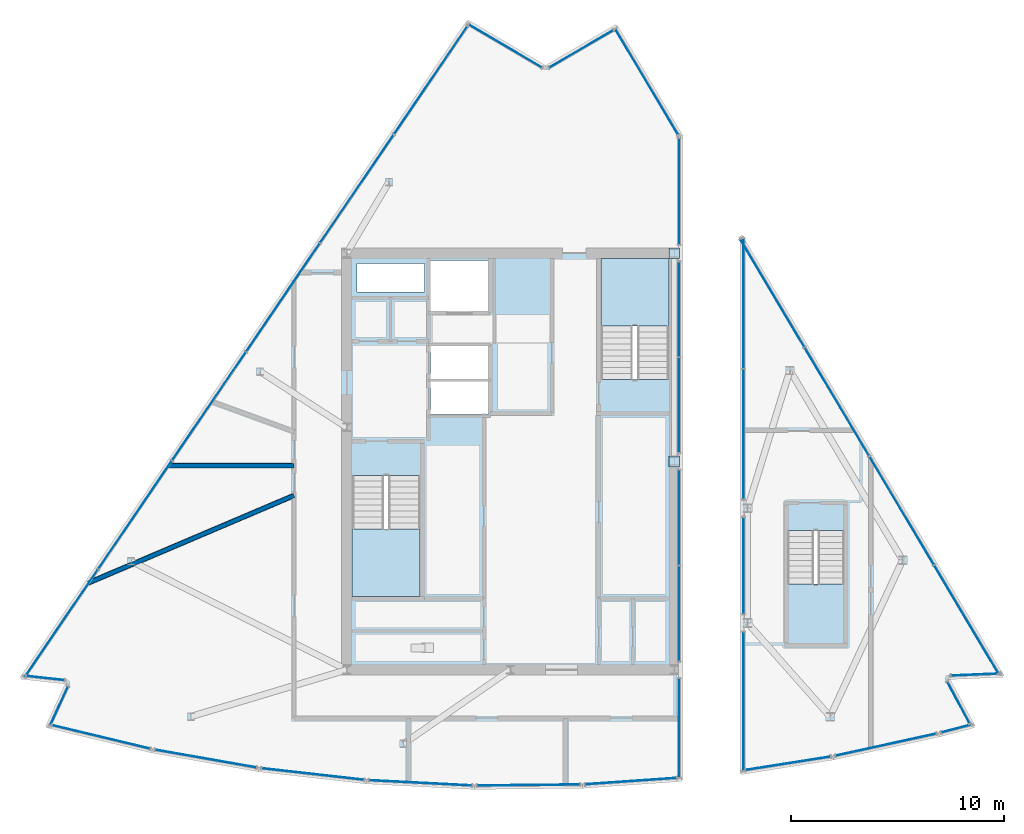
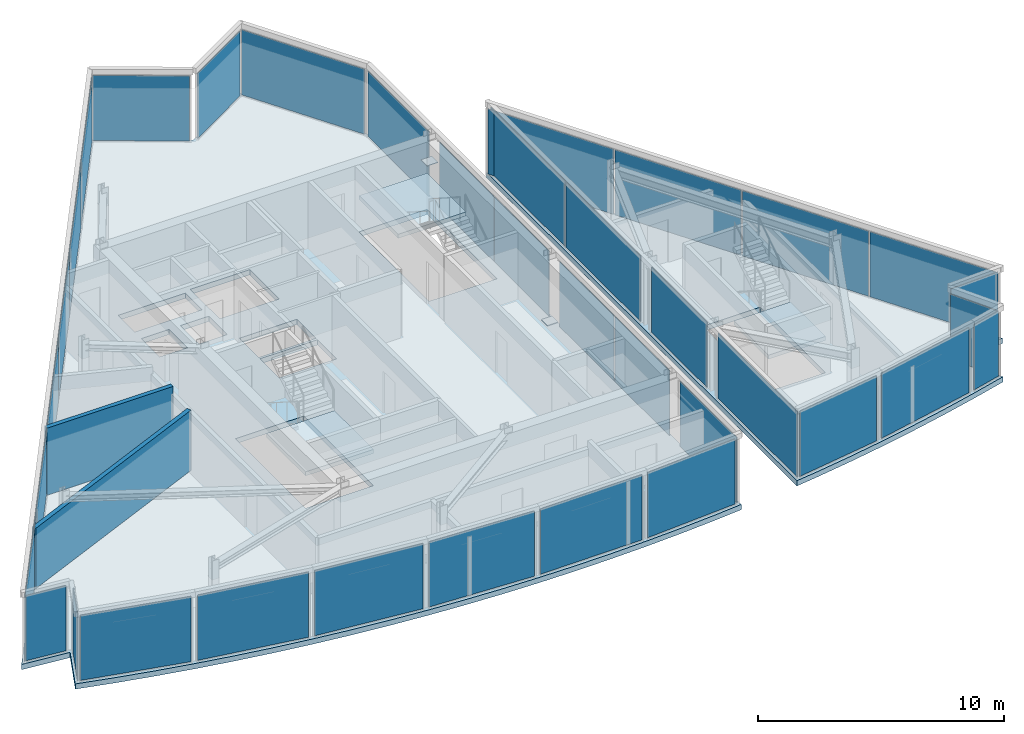
# One storey, part 8 of 15: 38 plates, 5 slabs, 2 walls, 28 elements without a shape of their own.
"""IFC4 building model written with IfcOpenShell, lengths in metres."""

from ifc_helpers import new_model, si_unit, direction, frame, frame_2d, origin, origin_2d, place, context, subcontext, project, spatial, polyline, rectangle, outline, extrude, material, layer, layer_set, type_object, element, aggregate, save


model = new_model("IFC4")

# Units and contexts
model_context = context("Model", 3, precision=1e-05, world=origin(), true_north=direction((0.0, 1.0)))
body_context = subcontext(model_context, "Body", "Model", "MODEL_VIEW")
ifc_project = project(units=[si_unit("LENGTHUNIT", "METRE"), si_unit("AREAUNIT", "SQUARE_METRE"), si_unit("VOLUMEUNIT", "CUBIC_METRE"), si_unit("PLANEANGLEUNIT", "RADIAN"), si_unit("MASSUNIT", "GRAM", prefix="KILO")], contexts=[model_context])

# Site, building, storey
site_placement = place(None, origin())
site = spatial("IfcSite", under=ifc_project, at=site_placement, CompositionType="ELEMENT")
building_placement = place(site_placement, origin())
building = spatial("IfcBuilding", under=site, at=building_placement, Name="Savorim Split Tower", CompositionType="ELEMENT")
storey_placement = place(building_placement, frame((0.0, 0.0, 308.39990234375)))
storey = spatial("IfcBuildingStorey", under=building, at=storey_placement, Name="Crown L82 Plant", CompositionType="ELEMENT", Elevation=308.39990234375)

# Curtain wall, plate
ifc_material_1 = material(Name="Dark Ceramic-Fritted Insulated Glass", Category="glass")
curtain_wall_type = type_object("IfcCurtainWallType", Name="CW-CROWN-CREST", PredefinedType="NOTDEFINED", material=ifc_material_1)
curtain_wall_1_placement = place(storey_placement, origin())
curtain_wall_1 = element("IfcCurtainWall", 1, at=curtain_wall_1_placement, inside=storey, type_object=curtain_wall_type, Name="Crown L82 Plant Curtain Wall CW-Crown-L82-Plant-W1AS1", PredefinedType="NOTDEFINED")
ifc_layer_1 = layer(ifc_material_1, 0.02587890625)
ifc_layer_set_1 = layer_set([ifc_layer_1], Name="CWP-FRITB-26")
plate_type_1 = type_object("IfcPlateType", Name="CWP-FRITB-26", PredefinedType="CURTAIN_PANEL", material=ifc_layer_set_1)
plate_1_placement = place(storey_placement, frame((7.929931640625, -12.13916015625, 0.05029296875), z_axis=(0.0, 0.0, 1.0), x_axis=(0.0, 1.0, 0.0)))
plate_1 = element("IfcPlate", 2, at=plate_1_placement, type_object=plate_type_1, Name="CW-07 panel 1.1", PredefinedType="CURTAIN_PANEL", context=body_context, shape_type="SweptSolid", body=[
    extrude(rectangle(XDim=4.62646484375, YDim=0.02587890625, at=origin_2d()), origin(), (0.0, 0.0, 1.0), 3.239990234375),
])
aggregate(curtain_wall_1, [plate_1])

# Curtain wall, plates
curtain_wall_2_placement = place(storey_placement, origin())
curtain_wall_2 = element("IfcCurtainWall", 3, at=curtain_wall_2_placement, inside=storey, type_object=curtain_wall_type, Name="Crown L82 Plant Curtain Wall CW-Crown-L82-Plant-W1AS2", PredefinedType="NOTDEFINED")
plate_2_placement = place(storey_placement, frame((7.929931640625, -6.751953125, 0.05029296875), z_axis=(0.0, 0.0, 1.0), x_axis=(0.0, 1.0, 0.0)))
plate_2 = element("IfcPlate", 4, at=plate_2_placement, type_object=plate_type_1, Name="CW-07 panel 1.1", PredefinedType="CURTAIN_PANEL", context=body_context, shape_type="SweptSolid", body=[
    extrude(rectangle(XDim=4.444091796875, YDim=0.02587890625, at=origin_2d()), origin(), (0.0, 0.0, 1.0), 3.239990234375),
])
plate_3_placement = place(storey_placement, frame((7.929931640625, -2.248046875, 0.05029296875), z_axis=(0.0, 0.0, 1.0), x_axis=(0.0, 1.0, 0.0)))
plate_3 = element("IfcPlate", 5, at=plate_3_placement, type_object=plate_type_1, Name="CW-07 panel 2.1", PredefinedType="CURTAIN_PANEL", context=body_context, shape_type="SweptSolid", body=[
    extrude(rectangle(XDim=4.444091796875, YDim=0.02587890625, at=origin_2d()), origin(), (0.0, 0.0, 1.0), 3.239990234375),
])
aggregate(curtain_wall_2, [plate_2, plate_3])

curtain_wall_3_placement = place(storey_placement, origin())
curtain_wall_3 = element("IfcCurtainWall", 6, at=curtain_wall_3_placement, inside=storey, type_object=curtain_wall_type, Name="Crown L82 Plant Curtain Wall CW-Crown-L82-Plant-W1AS3", PredefinedType="NOTDEFINED")
plate_4_placement = place(storey_placement, frame((7.929931640625, 3.048095703125, 0.05029296875), z_axis=(0.0, 0.0, 1.0), x_axis=(0.0, 1.0, 0.0)))
plate_4 = element("IfcPlate", 7, at=plate_4_placement, type_object=plate_type_1, Name="CW-07 panel 1.1", PredefinedType="CURTAIN_PANEL", context=body_context, shape_type="SweptSolid", body=[
    extrude(rectangle(XDim=4.444091796875, YDim=0.02587890625, at=origin_2d()), origin(), (0.0, 0.0, 1.0), 3.239990234375),
])
plate_5_placement = place(storey_placement, frame((7.929931640625, 7.552001953125, 0.05029296875), z_axis=(0.0, 0.0, 1.0), x_axis=(0.0, 1.0, 0.0)))
plate_5 = element("IfcPlate", 8, at=plate_5_placement, type_object=plate_type_1, Name="CW-07 panel 2.1", PredefinedType="CURTAIN_PANEL", context=body_context, shape_type="SweptSolid", body=[
    extrude(rectangle(XDim=4.444091796875, YDim=0.02587890625, at=origin_2d()), origin(), (0.0, 0.0, 1.0), 3.239990234375),
])
aggregate(curtain_wall_3, [plate_4, plate_5])

# Curtain wall, plate
curtain_wall_4_placement = place(storey_placement, origin())
curtain_wall_4 = element("IfcCurtainWall", 9, at=curtain_wall_4_placement, inside=storey, type_object=curtain_wall_type, Name="Crown L82 Plant Curtain Wall CW-Crown-L82-Plant-W1AS4", PredefinedType="NOTDEFINED")
plate_6_placement = place(storey_placement, frame((7.929931640625, 13.104736328125, 0.05029296875), z_axis=(0.0, 0.0, 1.0), x_axis=(0.0, 1.0, 0.0)))
plate_6 = element("IfcPlate", 10, at=plate_6_placement, type_object=plate_type_1, Name="CW-07 panel 1.1", PredefinedType="CURTAIN_PANEL", context=body_context, shape_type="SweptSolid", body=[
    extrude(rectangle(XDim=4.95751953125, YDim=0.02587890625, at=origin_2d()), origin(), (0.0, 0.0, 1.0), 3.239990234375),
])
aggregate(curtain_wall_4, [plate_6])

curtain_wall_5_placement = place(storey_placement, origin())
curtain_wall_5 = element("IfcCurtainWall", 11, at=curtain_wall_5_placement, inside=storey, type_object=curtain_wall_type, Name="Crown L82 Plant Curtain Wall CW-Crown-L82-Plant-W2A", PredefinedType="NOTDEFINED")
plate_7_placement = place(storey_placement, frame((6.40771484375, 18.25048828125, 0.05029296875), z_axis=(0.0, 0.0, 1.0), x_axis=(-0.511097871568, 0.859522521915, 0.0)))
plate_7 = element("IfcPlate", 12, at=plate_7_placement, type_object=plate_type_1, Name="CW-07 panel 1.1", PredefinedType="CURTAIN_PANEL", context=body_context, shape_type="SweptSolid", body=[
    extrude(rectangle(XDim=5.74267578125, YDim=0.02587890625, at=origin_2d()), origin(), (0.0, 0.0, 1.0), 3.239990234375),
])
aggregate(curtain_wall_5, [plate_7])

curtain_wall_6_placement = place(storey_placement, origin())
curtain_wall_6 = element("IfcCurtainWall", 13, at=curtain_wall_6_placement, inside=storey, type_object=curtain_wall_type, Name="Crown L82 Plant Curtain Wall CW-Crown-L82-Plant-W3A", PredefinedType="NOTDEFINED")
plate_8_placement = place(storey_placement, frame((3.32666015625, 19.80224609375, 0.05029296875), z_axis=(0.0, 0.0, 1.0), x_axis=(-0.863979509561, -0.503526967558, 0.0)))
plate_8 = element("IfcPlate", 14, at=plate_8_placement, type_object=plate_type_1, Name="CW-07 panel 1.1", PredefinedType="CURTAIN_PANEL", context=body_context, shape_type="SweptSolid", body=[
    extrude(rectangle(XDim=3.45849609375, YDim=0.02587890625, at=origin_2d()), origin(), (0.0, 0.0, 1.0), 3.239990234375),
])
aggregate(curtain_wall_6, [plate_8])

curtain_wall_7_placement = place(storey_placement, origin())
curtain_wall_7 = element("IfcCurtainWall", 15, at=curtain_wall_7_placement, inside=storey, type_object=curtain_wall_type, Name="Crown L82 Plant Curtain Wall CW-Crown-L82-Plant-W4A", PredefinedType="NOTDEFINED")
plate_9_placement = place(storey_placement, frame((-0.23681640625, 19.935302734375, 0.05029296875), z_axis=(0.0, 0.0, 1.0), x_axis=(-0.862119448693, 0.506705097849, 0.0)))
plate_9 = element("IfcPlate", 16, at=plate_9_placement, type_object=plate_type_1, Name="CW-07 panel 1.1", PredefinedType="CURTAIN_PANEL", context=body_context, shape_type="SweptSolid", body=[
    extrude(rectangle(XDim=3.958984375, YDim=0.02587890625, at=origin_2d()), origin(), (0.0, 0.0, 1.0), 3.239990234375),
])
aggregate(curtain_wall_7, [plate_9])

# Curtain wall, plates
curtain_wall_8_placement = place(storey_placement, origin())
curtain_wall_8 = element("IfcCurtainWall", 17, at=curtain_wall_8_placement, inside=storey, type_object=curtain_wall_type, Name="Crown L82 Plant Curtain Wall CW-Crown-L82-Plant-W5A", PredefinedType="NOTDEFINED")
plate_10_placement = place(storey_placement, frame((-3.755615234375, 18.323486328125, 0.05029296875), z_axis=(0.0, 0.0, 1.0), x_axis=(-0.562466302712, -0.826820209183, 0.0)))
plate_10 = element("IfcPlate", 18, at=plate_10_placement, type_object=plate_type_1, Name="CW-07 panel 1.1", PredefinedType="CURTAIN_PANEL", context=body_context, shape_type="SweptSolid", body=[
    extrude(rectangle(XDim=6.09375, YDim=0.02587890625, at=origin_2d()), origin(), (0.0, 0.0, 1.0), 3.239990234375),
])
plate_11_placement = place(storey_placement, frame((-7.225341796875, 13.22314453125, 0.05029296875), z_axis=(0.0, 0.0, 1.0), x_axis=(-0.562466302712, -0.826820209183, 0.0)))
plate_11 = element("IfcPlate", 19, at=plate_11_placement, type_object=plate_type_1, Name="CW-07 panel 2.1", PredefinedType="CURTAIN_PANEL", context=body_context, shape_type="SweptSolid", body=[
    extrude(rectangle(XDim=6.12353515625, YDim=0.02587890625, at=origin_2d()), origin(), (0.0, 0.0, 1.0), 3.239990234375),
])
plate_12_placement = place(storey_placement, frame((-10.703369140625, 8.1103515625, 0.05029296875), z_axis=(0.0, 0.0, 1.0), x_axis=(-0.562466302712, -0.826820209183, 0.0)))
plate_12 = element("IfcPlate", 20, at=plate_12_placement, type_object=plate_type_1, Name="CW-07 panel 3.1", PredefinedType="CURTAIN_PANEL", context=body_context, shape_type="SweptSolid", body=[
    extrude(rectangle(XDim=6.12353515625, YDim=0.02587890625, at=origin_2d()), origin(), (0.0, 0.0, 1.0), 3.239990234375),
])
plate_13_placement = place(storey_placement, frame((-14.181396484375, 2.99755859375, 0.05029296875), z_axis=(0.0, 0.0, 1.0), x_axis=(-0.562466302712, -0.826820209183, 0.0)))
plate_13 = element("IfcPlate", 21, at=plate_13_placement, type_object=plate_type_1, Name="CW-07 panel 4.1", PredefinedType="CURTAIN_PANEL", context=body_context, shape_type="SweptSolid", body=[
    extrude(rectangle(XDim=6.12353515625, YDim=0.02587890625, at=origin_2d()), origin(), (0.0, 0.0, 1.0), 3.239990234375),
])
plate_14_placement = place(storey_placement, frame((-17.65966796875, -2.114990234375, 0.05029296875), z_axis=(0.0, 0.0, 1.0), x_axis=(-0.562466302712, -0.826820209183, 0.0)))
plate_14 = element("IfcPlate", 22, at=plate_14_placement, type_object=plate_type_1, Name="CW-07 panel 5.1", PredefinedType="CURTAIN_PANEL", context=body_context, shape_type="SweptSolid", body=[
    extrude(rectangle(XDim=6.12353515625, YDim=0.02587890625, at=origin_2d()), origin(), (0.0, 0.0, 1.0), 3.239990234375),
])
plate_15_placement = place(storey_placement, frame((-21.129150390625, -7.21533203125, 0.05029296875), z_axis=(0.0, 0.0, 1.0), x_axis=(-0.562466302712, -0.826820209183, 0.0)))
plate_15 = element("IfcPlate", 23, at=plate_15_placement, type_object=plate_type_1, Name="CW-07 panel 6.1", PredefinedType="CURTAIN_PANEL", context=body_context, shape_type="SweptSolid", body=[
    extrude(rectangle(XDim=6.09375, YDim=0.02587890625, at=origin_2d()), origin(), (0.0, 0.0, 1.0), 3.239990234375),
])
aggregate(curtain_wall_8, [plate_10, plate_11, plate_12, plate_13, plate_14, plate_15])

# Curtain wall, plate
curtain_wall_9_placement = place(storey_placement, origin())
curtain_wall_9 = element("IfcCurtainWall", 24, at=curtain_wall_9_placement, inside=storey, type_object=curtain_wall_type, Name="Crown L82 Plant Curtain Wall CW-Crown-L82-Plant-W6A", PredefinedType="NOTDEFINED")
plate_16_placement = place(storey_placement, frame((-21.880615234375, -9.789306640625, 0.05029296875), z_axis=(0.0, 0.0, 1.0), x_axis=(0.993825126221, -0.110957732907, 0.0)))
plate_16 = element("IfcPlate", 25, at=plate_16_placement, type_object=plate_type_1, Name="CW-07 panel 1.1", PredefinedType="CURTAIN_PANEL", context=body_context, shape_type="SweptSolid", body=[
    extrude(rectangle(XDim=1.778076171875, YDim=0.02587890625, at=origin_2d()), origin(), (0.0, 0.0, 1.0), 3.239990234375),
])
aggregate(curtain_wall_9, [plate_16])

curtain_wall_10_placement = place(storey_placement, origin())
curtain_wall_10 = element("IfcCurtainWall", 26, at=curtain_wall_10_placement, inside=storey, type_object=curtain_wall_type, Name="Crown L82 Plant Curtain Wall CW-Crown-L82-Plant-W7A", PredefinedType="NOTDEFINED")
plate_17_placement = place(storey_placement, frame((-21.232177734375, -11.095947265625, 0.05029296875), z_axis=(0.0, 0.0, 1.0), x_axis=(-0.417480966524, -0.908685667649, 0.0)))
plate_17 = element("IfcPlate", 27, at=plate_17_placement, type_object=plate_type_1, Name="CW-07 panel 1.1", PredefinedType="CURTAIN_PANEL", context=body_context, shape_type="SweptSolid", body=[
    extrude(rectangle(XDim=1.9716796875, YDim=0.02587890625, at=origin_2d()), origin(), (0.0, 0.0, 1.0), 3.239990234375),
])
aggregate(curtain_wall_10, [plate_17])

curtain_wall_11_placement = place(storey_placement, origin())
curtain_wall_11 = element("IfcCurtainWall", 28, at=curtain_wall_11_placement, inside=storey, type_object=curtain_wall_type, Name="Crown L82 Plant Curtain Wall CW-Crown-L82-Plant-W8A", PredefinedType="NOTDEFINED")
plate_18_placement = place(storey_placement, frame((-19.256103515625, -12.55810546875, 0.05029296875), z_axis=(0.0, 0.0, 1.0), x_axis=(0.972436920358, -0.233166112298, 0.0)))
plate_18 = element("IfcPlate", 29, at=plate_18_placement, type_object=plate_type_1, Name="CW-07 panel 1.1", PredefinedType="CURTAIN_PANEL", context=body_context, shape_type="SweptSolid", body=[
    extrude(rectangle(XDim=4.70751953125, YDim=0.02587890625, at=origin_2d()), origin(), (0.0, 0.0, 1.0), 3.239990234375),
])
aggregate(curtain_wall_11, [plate_18])

curtain_wall_12_placement = place(storey_placement, origin())
curtain_wall_12 = element("IfcCurtainWall", 30, at=curtain_wall_12_placement, inside=storey, type_object=curtain_wall_type, Name="Crown L82 Plant Curtain Wall CW-Crown-L82-Plant-W9A", PredefinedType="NOTDEFINED")
plate_19_placement = place(storey_placement, frame((-14.33056640625, -13.57861328125, 0.05029296875), z_axis=(0.0, 0.0, 1.0), x_axis=(0.984910859046, -0.173062415713, 0.0)))
plate_19 = element("IfcPlate", 31, at=plate_19_placement, type_object=plate_type_1, Name="CW-07 panel 1.1", PredefinedType="CURTAIN_PANEL", context=body_context, shape_type="SweptSolid", body=[
    extrude(rectangle(XDim=4.812255859375, YDim=0.02587890625, at=origin_2d()), origin(), (0.0, 0.0, 1.0), 3.239990234375),
])
aggregate(curtain_wall_12, [plate_19])

curtain_wall_13_placement = place(storey_placement, origin())
curtain_wall_13 = element("IfcCurtainWall", 32, at=curtain_wall_13_placement, inside=storey, type_object=curtain_wall_type, Name="Crown L82 Plant Curtain Wall CW-Crown-L82-Plant-W10A", PredefinedType="NOTDEFINED")
plate_20_placement = place(storey_placement, frame((-9.300048828125, -14.30419921875, 0.05029296875), z_axis=(0.0, 0.0, 1.0), x_axis=(0.993672279926, -0.112318298183, 0.0)))
plate_20 = element("IfcPlate", 33, at=plate_20_placement, type_object=plate_type_1, Name="CW-07 panel 1.1", PredefinedType="CURTAIN_PANEL", context=body_context, shape_type="SweptSolid", body=[
    extrude(rectangle(XDim=4.8125, YDim=0.02587890625, at=origin_2d()), origin(), (0.0, 0.0, 1.0), 3.239990234375),
])
aggregate(curtain_wall_13, [plate_20])

curtain_wall_14_placement = place(storey_placement, origin())
curtain_wall_14 = element("IfcCurtainWall", 34, at=curtain_wall_14_placement, inside=storey, type_object=curtain_wall_type, Name="Crown L82 Plant Curtain Wall CW-Crown-L82-Plant-W11A", PredefinedType="NOTDEFINED")
plate_21_placement = place(storey_placement, frame((-4.234375, -14.7197265625, 0.05029296875), z_axis=(0.0, 0.0, 1.0), x_axis=(0.998690931849, -0.0511509789, 0.0)))
plate_21 = element("IfcPlate", 35, at=plate_21_placement, type_object=plate_type_1, Name="CW-07 panel 1.1", PredefinedType="CURTAIN_PANEL", context=body_context, shape_type="SweptSolid", body=[
    extrude(rectangle(XDim=4.8125, YDim=0.02587890625, at=origin_2d()), origin(), (0.0, 0.0, 1.0), 3.239990234375),
])
aggregate(curtain_wall_14, [plate_21])

curtain_wall_15_placement = place(storey_placement, origin())
curtain_wall_15 = element("IfcCurtainWall", 36, at=curtain_wall_15_placement, inside=storey, type_object=curtain_wall_type, Name="Crown L82 Plant Curtain Wall CW-Crown-L82-Plant-W12A", PredefinedType="NOTDEFINED")
plate_22_placement = place(storey_placement, frame((0.84716796875, -14.82373046875, 0.05029296875), z_axis=(0.0, 0.0, 1.0), x_axis=(0.999947585087, 0.010238509564, 0.0)))
plate_22 = element("IfcPlate", 37, at=plate_22_placement, type_object=plate_type_1, Name="CW-07 panel 1.1", PredefinedType="CURTAIN_PANEL", context=body_context, shape_type="SweptSolid", body=[
    extrude(rectangle(XDim=4.812255859375, YDim=0.02587890625, at=origin_2d()), origin(), (0.0, 0.0, 1.0), 3.239990234375),
])
aggregate(curtain_wall_15, [plate_22])

curtain_wall_16_placement = place(storey_placement, origin())
curtain_wall_16 = element("IfcCurtainWall", 38, at=curtain_wall_16_placement, inside=storey, type_object=curtain_wall_type, Name="Crown L82 Plant Curtain Wall CW-Crown-L82-Plant-W13A", PredefinedType="NOTDEFINED")
plate_23_placement = place(storey_placement, frame((5.66162109375, -14.638916015625, 0.05029296875), z_axis=(0.0, 0.0, 1.0), x_axis=(0.99756820001, 0.069697104159, 0.0)))
plate_23 = element("IfcPlate", 39, at=plate_23_placement, type_object=plate_type_1, Name="CW-07 panel 1.1", PredefinedType="CURTAIN_PANEL", context=body_context, shape_type="SweptSolid", body=[
    extrude(rectangle(XDim=4.281982421875, YDim=0.02587890625, at=origin_2d()), origin(), (0.0, 0.0, 1.0), 3.239990234375),
])
aggregate(curtain_wall_16, [plate_23])

# Curtain wall, plates
curtain_wall_17_placement = place(storey_placement, origin())
curtain_wall_17 = element("IfcCurtainWall", 40, at=curtain_wall_17_placement, inside=storey, type_object=curtain_wall_type, Name="Crown L82 Plant Curtain Wall CW-Crown-L82-Plant-E1AS1", PredefinedType="NOTDEFINED")
plate_24_placement = place(storey_placement, frame((10.969970703125, 7.8310546875, 0.05029296875), z_axis=(0.0, 0.0, 1.0), x_axis=(0.0, -1.0, 0.0)))
plate_24 = element("IfcPlate", 41, at=plate_24_placement, type_object=plate_type_1, Name="CW-07 panel 1.1", PredefinedType="CURTAIN_PANEL", context=body_context, shape_type="SweptSolid", body=[
    extrude(rectangle(XDim=6.08740234375, YDim=0.02587890625, at=origin_2d()), origin(), (0.0, 0.0, 1.0), 3.239990234375),
])
plate_25_placement = place(storey_placement, frame((10.969970703125, 1.68359375, 0.05029296875), z_axis=(0.0, 0.0, 1.0), x_axis=(0.0, -1.0, 0.0)))
plate_25 = element("IfcPlate", 42, at=plate_25_placement, type_object=plate_type_1, Name="CW-07 panel 2.1", PredefinedType="CURTAIN_PANEL", context=body_context, shape_type="SweptSolid", body=[
    extrude(rectangle(XDim=6.08740234375, YDim=0.02587890625, at=origin_2d()), origin(), (0.0, 0.0, 1.0), 3.239990234375),
])
aggregate(curtain_wall_17, [plate_24, plate_25])

# Curtain wall, plate
curtain_wall_18_placement = place(storey_placement, origin())
curtain_wall_18 = element("IfcCurtainWall", 43, at=curtain_wall_18_placement, inside=storey, type_object=curtain_wall_type, Name="Crown L82 Plant Curtain Wall CW-Crown-L82-Plant-E1AS2", PredefinedType="NOTDEFINED")
plate_26_placement = place(storey_placement, frame((10.969970703125, -4.5, 0.05029296875), z_axis=(0.0, 0.0, 1.0), x_axis=(0.0, -1.0, 0.0)))
plate_26 = element("IfcPlate", 44, at=plate_26_placement, type_object=plate_type_1, Name="CW-07 panel 1.1", PredefinedType="CURTAIN_PANEL", context=body_context, shape_type="SweptSolid", body=[
    extrude(rectangle(XDim=4.52001953125, YDim=0.02587890625, at=origin_2d()), origin(), (0.0, 0.0, 1.0), 3.239990234375),
])
aggregate(curtain_wall_18, [plate_26])

curtain_wall_19_placement = place(storey_placement, origin())
curtain_wall_19 = element("IfcCurtainWall", 45, at=curtain_wall_19_placement, inside=storey, type_object=curtain_wall_type, Name="Crown L82 Plant Curtain Wall CW-Crown-L82-Plant-E1AS3", PredefinedType="NOTDEFINED")
plate_27_placement = place(storey_placement, frame((10.969970703125, -10.88525390625, 0.05029296875), z_axis=(0.0, 0.0, 1.0), x_axis=(0.0, -1.0, 0.0)))
plate_27 = element("IfcPlate", 46, at=plate_27_placement, type_object=plate_type_1, Name="CW-07 panel 1.1", PredefinedType="CURTAIN_PANEL", context=body_context, shape_type="SweptSolid", body=[
    extrude(rectangle(XDim=6.490478515625, YDim=0.02587890625, at=origin_2d()), origin(), (0.0, 0.0, 1.0), 3.239990234375),
])
aggregate(curtain_wall_19, [plate_27])

curtain_wall_20_placement = place(storey_placement, origin())
curtain_wall_20 = element("IfcCurtainWall", 47, at=curtain_wall_20_placement, inside=storey, type_object=curtain_wall_type, Name="Crown L82 Plant Curtain Wall CW-Crown-L82-Plant-E2A", PredefinedType="NOTDEFINED")
plate_28_placement = place(storey_placement, frame((13.054931640625, -13.800537109375, 0.05029296875), z_axis=(0.0, 0.0, 1.0), x_axis=(0.987747263412, 0.156061986472, 0.0)))
plate_28 = element("IfcPlate", 48, at=plate_28_placement, type_object=plate_type_1, Name="CW-07 panel 1.1", PredefinedType="CURTAIN_PANEL", context=body_context, shape_type="SweptSolid", body=[
    extrude(rectangle(XDim=4.012451171875, YDim=0.02587890625, at=origin_2d()), origin(), (0.0, 0.0, 1.0), 3.239990234375),
])
aggregate(curtain_wall_20, [plate_28])

curtain_wall_21_placement = place(storey_placement, origin())
curtain_wall_21 = element("IfcCurtainWall", 49, at=curtain_wall_21_placement, inside=storey, type_object=curtain_wall_type, Name="Crown L82 Plant Curtain Wall CW-Crown-L82-Plant-E3A", PredefinedType="NOTDEFINED")
plate_29_placement = place(storey_placement, frame((17.655517578125, -12.923828125, 0.05029296875), z_axis=(0.0, 0.0, 1.0), x_axis=(0.97700386035, 0.213221614431, 0.0)))
plate_29 = element("IfcPlate", 50, at=plate_29_placement, type_object=plate_type_1, Name="CW-07 panel 1.1", PredefinedType="CURTAIN_PANEL", context=body_context, shape_type="SweptSolid", body=[
    extrude(rectangle(XDim=4.8125, YDim=0.02587890625, at=origin_2d()), origin(), (0.0, 0.0, 1.0), 3.239990234375),
])
aggregate(curtain_wall_21, [plate_29])

curtain_wall_22_placement = place(storey_placement, origin())
curtain_wall_22 = element("IfcCurtainWall", 51, at=curtain_wall_22_placement, inside=storey, type_object=curtain_wall_type, Name="Crown L82 Plant Curtain Wall CW-Crown-L82-Plant-E4A", PredefinedType="NOTDEFINED")
plate_30_placement = place(storey_placement, frame((20.95947265625, -12.16748046875, 0.05029296875), z_axis=(0.0, 0.0, 1.0), x_axis=(0.967457553215, 0.253033362874, 0.0)))
plate_30 = element("IfcPlate", 52, at=plate_30_placement, type_object=plate_type_1, Name="CW-07 panel 1.1", PredefinedType="CURTAIN_PANEL", context=body_context, shape_type="SweptSolid", body=[
    extrude(rectangle(XDim=1.417724609375, YDim=0.02587890625, at=origin_2d()), origin(), (0.0, 0.0, 1.0), 3.239990234375),
])
aggregate(curtain_wall_22, [plate_30])

curtain_wall_23_placement = place(storey_placement, origin())
curtain_wall_23 = element("IfcCurtainWall", 53, at=curtain_wall_23_placement, inside=storey, type_object=curtain_wall_type, Name="Crown L82 Plant Curtain Wall CW-Crown-L82-Plant-E5A", PredefinedType="NOTDEFINED")
plate_31_placement = place(storey_placement, frame((21.072509765625, -10.94580078125, 0.05029296875), z_axis=(0.0, 0.0, 1.0), x_axis=(-0.472817704819, 0.881160268061, 0.0)))
plate_31 = element("IfcPlate", 54, at=plate_31_placement, type_object=plate_type_1, Name="CW-07 panel 1.1", PredefinedType="CURTAIN_PANEL", context=body_context, shape_type="SweptSolid", body=[
    extrude(rectangle(XDim=2.187744140625, YDim=0.02587890625, at=origin_2d()), origin(), (0.0, 0.0, 1.0), 3.239990234375),
])
aggregate(curtain_wall_23, [plate_31])

curtain_wall_24_placement = place(storey_placement, origin())
curtain_wall_24 = element("IfcCurtainWall", 55, at=curtain_wall_24_placement, inside=storey, type_object=curtain_wall_type, Name="Crown L82 Plant Curtain Wall CW-Crown-L82-Plant-E6A", PredefinedType="NOTDEFINED")
plate_32_placement = place(storey_placement, frame((21.873779296875, -9.627197265625, 0.05029296875), z_axis=(0.0, 0.0, 1.0), x_axis=(0.999095578227, 0.042520883892, 0.0)))
plate_32 = element("IfcPlate", 56, at=plate_32_placement, type_object=plate_type_1, Name="CW-07 panel 1.1", PredefinedType="CURTAIN_PANEL", context=body_context, shape_type="SweptSolid", body=[
    extrude(rectangle(XDim=2.29052734375, YDim=0.02587890625, at=origin_2d()), origin(), (0.0, 0.0, 1.0), 3.239990234375),
])
aggregate(curtain_wall_24, [plate_32])

# Curtain wall, plates
curtain_wall_25_placement = place(storey_placement, origin())
curtain_wall_25 = element("IfcCurtainWall", 57, at=curtain_wall_25_placement, inside=storey, type_object=curtain_wall_type, Name="Crown L82 Plant Curtain Wall CW-Crown-L82-Plant-E7A", PredefinedType="NOTDEFINED")
plate_33_placement = place(storey_placement, frame((21.435302734375, -7.02197265625, 0.05029296875), z_axis=(0.0, 0.0, 1.0), x_axis=(-0.511094584076, 0.859524476748, 0.0)))
plate_33 = element("IfcPlate", 58, at=plate_33_placement, type_object=plate_type_1, Name="CW-07 panel 1.1", PredefinedType="CURTAIN_PANEL", context=body_context, shape_type="SweptSolid", body=[
    extrude(rectangle(XDim=5.86669921875, YDim=0.02587890625, at=origin_2d()), origin(), (0.0, 0.0, 1.0), 3.239990234375),
])
plate_34_placement = place(storey_placement, frame((18.398681640625, -1.9150390625, 0.05029296875), z_axis=(0.0, 0.0, 1.0), x_axis=(-0.511094584076, 0.859524476748, 0.0)))
plate_34 = element("IfcPlate", 59, at=plate_34_placement, type_object=plate_type_1, Name="CW-07 panel 2.1", PredefinedType="CURTAIN_PANEL", context=body_context, shape_type="SweptSolid", body=[
    extrude(rectangle(XDim=5.896484375, YDim=0.02587890625, at=origin_2d()), origin(), (0.0, 0.0, 1.0), 3.239990234375),
])
plate_35_placement = place(storey_placement, frame((15.354248046875, 3.204833984375, 0.05029296875), z_axis=(0.0, 0.0, 1.0), x_axis=(-0.511094584076, 0.859524476748, 0.0)))
plate_35 = element("IfcPlate", 60, at=plate_35_placement, type_object=plate_type_1, Name="CW-07 panel 3.1", PredefinedType="CURTAIN_PANEL", context=body_context, shape_type="SweptSolid", body=[
    extrude(rectangle(XDim=5.896484375, YDim=0.02587890625, at=origin_2d()), origin(), (0.0, 0.0, 1.0), 3.239990234375),
])
plate_36_placement = place(storey_placement, frame((12.317626953125, 8.311767578125, 0.05029296875), z_axis=(0.0, 0.0, 1.0), x_axis=(-0.511094584076, 0.859524476748, 0.0)))
plate_36 = element("IfcPlate", 61, at=plate_36_placement, type_object=plate_type_1, Name="CW-07 panel 4.1", PredefinedType="CURTAIN_PANEL", context=body_context, shape_type="SweptSolid", body=[
    extrude(rectangle(XDim=5.86669921875, YDim=0.02587890625, at=origin_2d()), origin(), (0.0, 0.0, 1.0), 3.239990234375),
])
aggregate(curtain_wall_25, [plate_33, plate_34, plate_35, plate_36])

# Plates
ifc_material_2 = material(Name="Steel S460", Category="steel")
ifc_layer_2 = layer(ifc_material_2, 0.02490234375)
ifc_layer_set_2 = layer_set([ifc_layer_2], Name="PLT-NODE-CN1")
plate_type_2 = type_object("IfcPlateType", Name="PLT-NODE-CN1", PredefinedType="SHEET", material=ifc_layer_set_2)
for number, where, z_axis, x_axis, name in (
    (62, (7.699951171875, 0.39990234375, 0.1376953125), (0.0, 0.0, 1.0), (1.0, 0.0, 0.0), "Crown L82 Plant Crown Spine Base Gusset Plate CN1"),
    (63, (7.699951171875, 10.199951171875, 2.1376953125), (0.0, 0.0, 1.0), (1.0, 0.0, 0.0), "Crown L82 Plant Crown Spine Top Gusset Plate CN2"),
):
    element("IfcPlate", number, at=place(storey_placement, frame(where, z_axis=z_axis, x_axis=x_axis)), inside=storey, type_object=plate_type_2, Name=name, PredefinedType="SHEET", context=body_context, shape_type="SweptSolid", body=[
        extrude(rectangle(XDim=0.5, YDim=0.5, at=origin_2d()), origin(), (0.0, 0.0, 1.0), 0.02490234375),
    ])

# Slabs
ifc_material_3 = material(Name="Concrete C50/60", Category="concrete")
ifc_layer_3 = layer(ifc_material_3, 0.260009765625)
ifc_layer_set_3 = layer_set([ifc_layer_3], Name="SLB-CRN-260")
slab_type_1 = type_object("IfcSlabType", Name="SLB-CRN-260", PredefinedType="FLOOR", material=ifc_layer_set_3)
slab_1_placement = place(storey_placement, frame((0.0, 0.0, -0.260009765625)))
element("IfcSlab", 64, at=slab_1_placement, inside=storey, type_object=slab_type_1, Name="Crown L82 Plant West Split Crown Floor Slab", PredefinedType="FLOOR", context=body_context, shape_type="SweptSolid", body=[
    extrude(outline(polyline([(8.050048828125, -14.59228515625), (8.050048828125, 15.7236328125), (4.971923828125, 20.900146484375), (1.651123046875, 18.96484375), (-2.00341796875, 21.11279296875), (-23.02099609375, -9.78271484375), (-20.87109375, -10.022705078125), (-21.811279296875, -12.06884765625), (-20.168701171875, -12.498291015625), (-18.517822265625, -12.894287109375), (-16.859130859375, -13.256103515625), (-15.193359375, -13.583984375), (-13.521240234375, -13.8779296875), (-11.843505859375, -14.137451171875), (-10.160888671875, -14.362548828125), (-8.473876953125, -14.55322265625), (-6.783447265625, -14.70947265625), (-5.090087890625, -14.830810546875), (-3.39453125, -14.917724609375), (-1.697509765625, -14.9697265625), (0.0, -14.9873046875), (1.697509765625, -14.9697265625), (3.39453125, -14.917724609375), (5.090087890625, -14.830810546875), (6.783447265625, -14.70947265625), (8.050048828125, -14.59228515625)]), holes=[polyline([(-7.449951171875, -0.25390625), (-7.449951171875, -5.949951171875), (-4.25, -5.949951171875), (-4.25, -0.25390625), (-7.449951171875, -0.25390625)]), polyline([(7.449951171875, 4.25390625), (7.449951171875, 9.949951171875), (4.25, 9.949951171875), (4.25, 4.25390625), (7.449951171875, 4.25390625)]), polyline([(-3.75, 2.60009765625), (-1.050048828125, 2.60009765625), (-1.050048828125, 4.159912109375), (-3.75, 4.159912109375), (-3.75, 2.60009765625)]), polyline([(-3.75, 4.280029296875), (-1.050048828125, 4.280029296875), (-1.050048828125, 5.840087890625), (-3.75, 5.840087890625), (-3.75, 4.280029296875)]), polyline([(-3.75, 7.449951171875), (-0.949951171875, 7.449951171875), (-0.949951171875, 9.85009765625), (-3.75, 9.85009765625), (-3.75, 7.449951171875)]), polyline([(-7.219970703125, 6.320068359375), (-5.919921875, 6.320068359375), (-5.919921875, 7.820068359375), (-7.219970703125, 7.820068359375), (-7.219970703125, 6.320068359375)]), polyline([(-5.3798828125, 6.320068359375), (-4.050048828125, 6.320068359375), (-4.050048828125, 7.820068359375), (-5.3798828125, 7.820068359375), (-5.3798828125, 6.320068359375)]), polyline([(-7.219970703125, 8.360107421875), (-4.050048828125, 8.360107421875), (-4.050048828125, 9.719970703125), (-7.219970703125, 9.719970703125), (-7.219970703125, 8.360107421875)])]), origin(), (0.0, 0.0, 1.0), 0.260009765625),
])
slab_2_placement = place(storey_placement, frame((0.0, 0.0, -0.260009765625)))
element("IfcSlab", 65, at=slab_2_placement, inside=storey, type_object=slab_type_1, Name="Crown L82 Plant East Split Crown Floor Slab", PredefinedType="FLOOR", context=body_context, shape_type="SweptSolid", body=[
    extrude(outline(polyline([(10.85009765625, 11.0146484375), (10.85009765625, -14.2705078125), (11.843505859375, -14.137451171875), (13.521240234375, -13.8779296875), (15.193359375, -13.583984375), (16.859130859375, -13.256103515625), (18.517822265625, -12.894287109375), (20.168701171875, -12.498291015625), (21.811279296875, -12.06884765625), (20.5947265625, -9.8017578125), (23.162841796875, -9.6923828125), (10.85009765625, 11.0146484375)]), holes=[polyline([(13.02001953125, -2.85400390625), (13.02001953125, -8.199951171875), (15.699951171875, -8.199951171875), (15.699951171875, -2.85400390625), (13.02001953125, -2.85400390625)])]), origin(), (0.0, 0.0, 1.0), 0.260009765625),
])

# Stair, slab
stair_type_1 = type_object("IfcStairType", Name="STR-DOG-3600", PredefinedType="HALF_TURN_STAIR", material=ifc_material_3)
stair_1_placement = place(storey_placement, origin())
stair_1 = element("IfcStair", 66, at=stair_1_placement, inside=storey, type_object=stair_type_1, Name="Crown L82 Plant Core Protected Exit Stair ST-1", PredefinedType="HALF_TURN_STAIR")
ifc_layer_4 = layer(ifc_material_3, 0.199951171875)
ifc_layer_set_4 = layer_set([ifc_layer_4], Name="SLB-LND-200")
slab_type_2 = type_object("IfcSlabType", Name="SLB-LND-200", PredefinedType="LANDING", material=ifc_layer_set_4)
slab_3_placement = place(storey_placement, frame((0.0, 0.0, 1.60009765625)))
slab_3 = element("IfcSlab", 67, at=slab_3_placement, type_object=slab_type_2, Name="ST-1 landing 1", PredefinedType="LANDING", context=body_context, shape_type="SweptSolid", body=[
    extrude(outline(polyline([(-7.449951171875, -2.77001953125), (-7.449951171875, -5.949951171875), (-4.25, -5.949951171875), (-4.25, -2.77001953125), (-7.449951171875, -2.77001953125)])), origin(), (0.0, 0.0, 1.0), 0.199951171875),
])
aggregate(stair_1, [slab_3])

stair_2_placement = place(storey_placement, origin())
stair_2 = element("IfcStair", 68, at=stair_2_placement, inside=storey, type_object=stair_type_1, Name="Crown L82 Plant Core Protected Exit Stair ST-2", PredefinedType="HALF_TURN_STAIR")
slab_4_placement = place(storey_placement, frame((0.0, 0.0, 1.60009765625)))
slab_4 = element("IfcSlab", 69, at=slab_4_placement, type_object=slab_type_2, Name="ST-2 landing 1", PredefinedType="LANDING", context=body_context, shape_type="SweptSolid", body=[
    extrude(outline(polyline([(7.449951171875, 6.77001953125), (7.449951171875, 9.949951171875), (4.25, 9.949951171875), (4.25, 6.77001953125), (7.449951171875, 6.77001953125)])), origin(), (0.0, 0.0, 1.0), 0.199951171875),
])
aggregate(stair_2, [slab_4])

stair_type_2 = type_object("IfcStairType", Name="STR-CRN-3600", PredefinedType="HALF_TURN_STAIR", material=ifc_material_3)
stair_3_placement = place(storey_placement, origin())
stair_3 = element("IfcStair", 70, at=stair_3_placement, inside=storey, type_object=stair_type_2, Name="Crown L82 Plant East Crown Peak Internal Plant Stair ST-CRN-E", PredefinedType="HALF_TURN_STAIR")
slab_5_placement = place(storey_placement, frame((0.0, 0.0, 1.60009765625)))
slab_5 = element("IfcSlab", 71, at=slab_5_placement, type_object=slab_type_2, Name="ST-CRN-E landing 1", PredefinedType="LANDING", context=body_context, shape_type="SweptSolid", body=[
    extrude(outline(polyline([(13.02001953125, -5.3701171875), (13.02001953125, -8.199951171875), (15.699951171875, -8.199951171875), (15.699951171875, -5.3701171875), (13.02001953125, -5.3701171875)])), origin(), (0.0, 0.0, 1.0), 0.199951171875),
])
aggregate(stair_3, [slab_5])

# Walls
ifc_layer_5 = layer(ifc_material_3, 0.199951171875)
ifc_layer_set_5 = layer_set([ifc_layer_5], Name="WAL-INT-RC200")
wall_type = type_object("IfcWallType", Name="WAL-INT-RC200", PredefinedType="SOLIDWALL", material=ifc_layer_set_5)
wall_1_placement = place(storey_placement, frame((-19.86083984375, -5.315185546875, 0.0), z_axis=(0.0, 0.0, 1.0), x_axis=(0.920301883317, 0.391208951282, 0.0)))
element("IfcWall", 72, at=wall_1_placement, inside=storey, type_object=wall_type, Name="Crown L82 Plant Partition W-Crown-L82-Plant-CDIV1", PredefinedType="SOLIDWALL", context=body_context, shape_type="SweptSolid", body=[
    extrude(rectangle(XDim=10.519287109375, YDim=0.199951171875, at=frame_2d((5.259765625, 0.0))), origin(), (0.0, 0.0, 1.0), 2.9951171875),
])
wall_2_placement = place(storey_placement, frame((-16.10888671875, 0.199951171875, 0.0), z_axis=(0.0, 0.0, 1.0), x_axis=(1.0, 0.0, 0.0)))
element("IfcWall", 73, at=wall_2_placement, inside=storey, type_object=wall_type, Name="Crown L82 Plant Partition W-Crown-L82-Plant-CDIV3", PredefinedType="SOLIDWALL", context=body_context, shape_type="SweptSolid", body=[
    extrude(rectangle(XDim=5.928955078125, YDim=0.199951171875, at=frame_2d((2.96435546875, 0.0))), origin(), (0.0, 0.0, 1.0), 3.340087890625),
])

save(model, "model.ifc")
